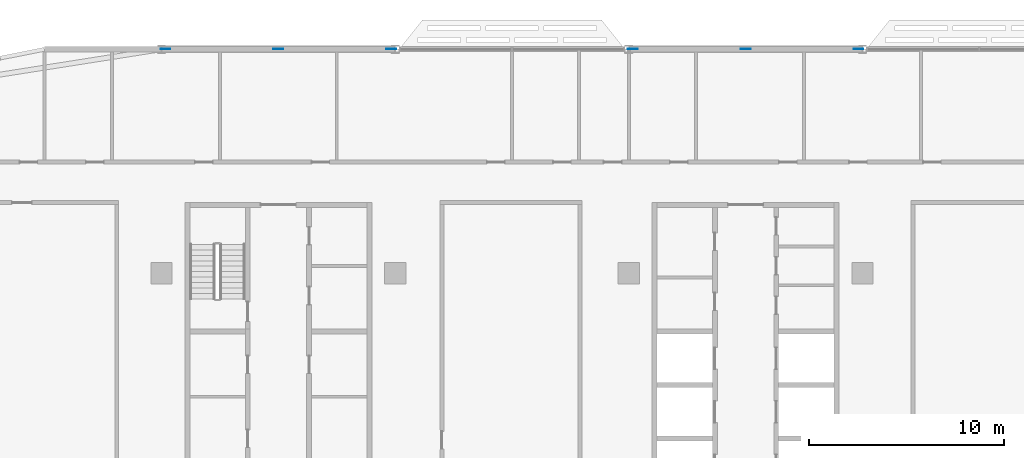
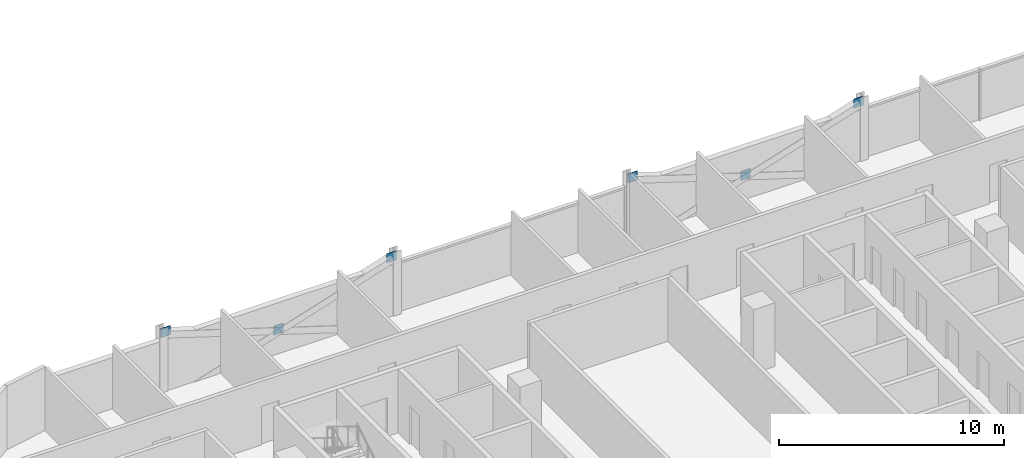
# One storey, part 22 of 30: 6 discrete accessories.
"""IFC4 building model written with IfcOpenShell, lengths in metres."""

import ifcopenshell
import ifcopenshell.guid

model = None  # the IFC model being written
_history = None  # IfcOwnerHistory: only IFC2X3 demands one
_inside = {}  # id of a spatial element -> (the spatial element, [elements in it])
_under = {}  # id of a project, library or spatial element -> (it, [spatial elements below it])
_declared = {}  # id of a project -> (the project, [libraries it declares])
_typed = {}  # id of a type object -> (the type object, [elements of that type])
_made_of = {}  # id of a material, layer set ... -> (it, [elements and type objects made of it])


def new_model(schema):
    """Start an empty IFC model of exactly this schema.

    Asked for "IFC4X3", IfcOpenShell would pick the latest addendum, in which some entities
    have other attributes; the version numbers below select the first issue.
    IFC2X3 requires an IfcOwnerHistory on every rooted entity: one is made here for all.
    """
    global model, _history
    if schema == "IFC4X3":
        model = ifcopenshell.file(schema_version=(4, 3, 0, 0))
    else:
        model = ifcopenshell.file(schema=schema)
    _inside.clear()
    _under.clear()
    _declared.clear()
    _typed.clear()
    _made_of.clear()
    _history = None
    if model.schema == "IFC2X3":
        org = make("IfcOrganization", Name="unknown")
        user = make(
            "IfcPersonAndOrganization",
            ThePerson=make("IfcPerson", FamilyName="unknown"),
            TheOrganization=org,
        )
        app = make(
            "IfcApplication",
            ApplicationDeveloper=org,
            Version="unknown",
            ApplicationFullName="unknown",
            ApplicationIdentifier="unknown",
        )
        _history = make(
            "IfcOwnerHistory",
            OwningUser=user,
            OwningApplication=app,
            ChangeAction="ADDED",
            CreationDate=0,
        )
    return model


def make(cls, **values):
    """One entity of the class cls with the attributes given. An attribute that is None is left unset."""
    return model.create_entity(
        cls, **{name: value for name, value in values.items() if value is not None}
    )


def rooted(cls, **values):
    """An entity with a GlobalId (a new one), such as an element, a storey or a relation."""
    return make(cls, GlobalId=ifcopenshell.guid.new(), OwnerHistory=_history, **values)


def si_unit(unit_type, name, prefix=None):
    """IfcSIUnit, for example si_unit("LENGTHUNIT", "METRE", prefix="MILLI")."""
    return make("IfcSIUnit", UnitType=unit_type, Prefix=prefix, Name=name)


def assignment(units):
    """IfcUnitAssignment: the units of a project."""
    return None if units is None else make("IfcUnitAssignment", Units=units)


def point(xyz):
    """IfcCartesianPoint."""
    return None if xyz is None else make("IfcCartesianPoint", Coordinates=xyz)


def direction(xyz):
    """IfcDirection."""
    return None if xyz is None else make("IfcDirection", DirectionRatios=xyz)


def frame(location, z_axis=None, x_axis=None):
    """IfcAxis2Placement3D, a coordinate frame: its origin and axes. An axis left out is left unset."""
    return make(
        "IfcAxis2Placement3D",
        Location=point(location),
        Axis=direction(z_axis),
        RefDirection=direction(x_axis),
    )


def frame_2d(location, x_axis=None):
    """IfcAxis2Placement2D, a coordinate frame in the plane: its origin and x axis."""
    return make(
        "IfcAxis2Placement2D", Location=point(location), RefDirection=direction(x_axis)
    )


def origin():
    """The frame at (0, 0, 0) with its axes left unset."""
    return frame((0.0, 0.0, 0.0))


def origin_2d():
    """The frame at (0, 0) in the plane with its x axis left unset."""
    return frame_2d((0.0, 0.0))


def place(relative_to, where):
    """IfcLocalPlacement: puts the frame where relative to a parent placement (None: the world)."""
    return make(
        "IfcLocalPlacement", PlacementRelTo=relative_to, RelativePlacement=where
    )


def context(
    kind, dimensions, precision=None, world=None, true_north=None, identifier=None
):
    """IfcGeometricRepresentationContext, for example the 3D "Model" context."""
    return make(
        "IfcGeometricRepresentationContext",
        ContextIdentifier=identifier,
        ContextType=kind,
        CoordinateSpaceDimension=dimensions,
        Precision=precision,
        WorldCoordinateSystem=world,
        TrueNorth=true_north,
    )


def subcontext(parent, identifier, kind, view, scale=None):
    """IfcGeometricRepresentationSubContext, for example "Body" below "Model"."""
    return make(
        "IfcGeometricRepresentationSubContext",
        ContextIdentifier=identifier,
        ContextType=kind,
        ParentContext=parent,
        TargetScale=scale,
        TargetView=view,
    )


def project(units=None, contexts=None):
    """IfcProject with its units and contexts."""
    return rooted(
        "IfcProject",
        Name="project",
        RepresentationContexts=contexts,
        UnitsInContext=assignment(units),
    )


def spatial(cls, under=None, at=None, **own):
    """A site, building, storey or space (cls), placed at a placement, below another one or the project."""
    s = rooted(cls, ObjectPlacement=at, **own)
    if under is not None:
        _under.setdefault(under.id(), (under, []))[1].append(s)
    return s


def profile(cls, at=None, kind="AREA", **sizes):
    """A parametric profile (cls). Its sizes go by their IFC names, for example OverallWidth=200.0."""
    return make(cls, ProfileType=kind, Position=at, **sizes)


def rectangle(**sizes):
    """IfcRectangleProfileDef."""
    return profile("IfcRectangleProfileDef", **sizes)


def extrude(swept, where, along, depth):
    """IfcExtrudedAreaSolid: the profile swept, set in the frame where, extruded along a direction by depth."""
    return make(
        "IfcExtrudedAreaSolid",
        SweptArea=swept,
        Position=where,
        ExtrudedDirection=direction(along),
        Depth=depth,
    )


def shape(context_of_items, identifier, shape_type, items):
    """IfcShapeRepresentation: the items that make up one representation, for example the "Body"."""
    return make(
        "IfcShapeRepresentation",
        ContextOfItems=context_of_items,
        RepresentationIdentifier=identifier,
        RepresentationType=shape_type,
        Items=items,
    )


def material(Name=None, Category=None):
    """IfcMaterial."""
    return make("IfcMaterial", Name=Name, Category=Category)


def layer(
    of_material, thickness, ventilated=None, Name=None, Category=None, Priority=None
):
    """IfcMaterialLayer: one layer of a wall or slab, of a material (None: an air gap)."""
    return make(
        "IfcMaterialLayer",
        Material=of_material,
        LayerThickness=thickness,
        IsVentilated=ventilated,
        Name=Name,
        Category=Category,
        Priority=Priority,
    )


def layer_set(layers, Name=None):
    """IfcMaterialLayerSet."""
    return make("IfcMaterialLayerSet", MaterialLayers=layers, LayerSetName=Name)


def made_of(thing, what):
    """Note that an element or type object is made of a material, layer set ...; save() writes the relation."""
    if what is not None:
        _made_of.setdefault(what.id(), (what, []))[1].append(thing)
    return thing


def type_object(cls, material=None, **own):
    """A type object (cls), such as IfcWallType, which elements share."""
    return made_of(rooted(cls, **own), material)


def element(
    cls,
    number,
    at=None,
    inside=None,
    cuts=None,
    type_object=None,
    material=None,
    context=None,
    identifier="Body",
    shape_type=None,
    held_by="IfcProductDefinitionShape",
    body=None,
    shapes=None,
    **own,
):
    """One element of the class cls, such as IfcWall. Its Tag is "e" and its number.

    at: its placement. inside: the storey or other place that contains it. cuts: it is an
    opening in that element (IfcRelVoidsElement). A single representation is given by context,
    identifier, shape_type and body (its items); several are given by shapes. held_by: the class
    of the entity that holds the representations. save() writes the other relations.
    """
    e = rooted(cls, Tag="e%d" % number, ObjectPlacement=at, **own)
    if body is not None:
        shapes = [shape(context, identifier, shape_type, body)]
    if shapes is not None:
        e.Representation = make(held_by, Representations=shapes)
    if inside is not None:
        _inside.setdefault(inside.id(), (inside, []))[1].append(e)
    if cuts is not None:
        rooted(
            "IfcRelVoidsElement", RelatingBuildingElement=cuts, RelatedOpeningElement=e
        )
    if type_object is not None:
        _typed.setdefault(type_object.id(), (type_object, []))[1].append(e)
    return made_of(e, material)


def aggregate(whole, parts):
    """IfcRelAggregates: a whole, such as a stair, and the parts it consists of."""
    return rooted("IfcRelAggregates", RelatingObject=whole, RelatedObjects=parts)


def save(model, path):
    """Write the relations noted so far, then the file.

    IfcRelAggregates (storeys below a building ...), IfcRelContainedInSpatialStructure (elements
    in a storey), IfcRelDefinesByType, IfcRelAssociatesMaterial and IfcRelDeclares: one each for
    every whole, place, type object, material and project.
    """
    for whole, parts in _under.values():
        aggregate(whole, parts)
    for where, things in _inside.values():
        rooted(
            "IfcRelContainedInSpatialStructure",
            RelatedElements=things,
            RelatingStructure=where,
        )
    for kind, things in _typed.values():
        rooted("IfcRelDefinesByType", RelatedObjects=things, RelatingType=kind)
    for what, things in _made_of.values():
        rooted("IfcRelAssociatesMaterial", RelatedObjects=things, RelatingMaterial=what)
    for by, libraries in _declared.values():
        rooted("IfcRelDeclares", RelatingContext=by, RelatedDefinitions=libraries)
    model.write(path)


model = new_model("IFC4")

# Units and contexts
model_context = context("Model", 3, precision=1e-05, world=origin(), true_north=direction((0.0, 1.0)))
body_context = subcontext(model_context, "Body", "Model", "MODEL_VIEW")
ifc_project = project(units=[si_unit("LENGTHUNIT", "METRE"), si_unit("AREAUNIT", "SQUARE_METRE"), si_unit("VOLUMEUNIT", "CUBIC_METRE"), si_unit("PLANEANGLEUNIT", "RADIAN"), si_unit("MASSUNIT", "GRAM", prefix="KILO")], contexts=[model_context])

# Site, building, storey
site_placement = place(None, origin())
site = spatial("IfcSite", under=ifc_project, at=site_placement, CompositionType="ELEMENT")
building_placement = place(site_placement, origin())
building = spatial("IfcBuilding", under=site, at=building_placement, Name="Mahtab Terrace Research Tower", CompositionType="ELEMENT")
storey_placement = place(building_placement, frame((0.0, 0.0, 216.699951171875)))
storey = spatial("IfcBuildingStorey", under=building, at=storey_placement, Name="L52", CompositionType="ELEMENT", Elevation=216.699951171875)

# Discrete accessories
ifc_material = material(Name="Steel ASTM A992 Gr 50", Category="steel")
ifc_layer = layer(ifc_material, 0.030029296875)
ifc_layer_set = layer_set([ifc_layer], Name="Gusset plate 500x500x30")
discrete_accessory_type = type_object("IfcDiscreteAccessoryType", Name="Gusset plate 500x500x30", PredefinedType="USERDEFINED", material=ifc_layer_set)
for number, where, z_axis, x_axis, name in (
    (1, (-29.79931640625, 23.0, 2.870361328125), (0.0, 0.0, 1.0), (1.0, 0.0, 0.0), "Gusset plate"),
    (2, (-24.0, 23.0, 0.970947265625), (0.0, 0.0, 1.0), (1.0, 0.0, 0.0), "Gusset plate"),
    (3, (-18.20068359375, 23.0, 2.870361328125), (0.0, 0.0, 1.0), (1.0, 0.0, 0.0), "Gusset plate"),
    (4, (-5.79931640625, 23.0, 2.870361328125), (0.0, 0.0, 1.0), (1.0, 0.0, 0.0), "Gusset plate"),
    (5, (0.0, 23.0, 0.970947265625), (0.0, 0.0, 1.0), (1.0, 0.0, 0.0), "Gusset plate"),
    (6, (5.79931640625, 23.0, 2.870361328125), (0.0, 0.0, 1.0), (1.0, 0.0, 0.0), "Gusset plate"),
):
    element("IfcDiscreteAccessory", number, at=place(storey_placement, frame(where, z_axis=z_axis, x_axis=x_axis)), inside=storey, type_object=discrete_accessory_type, Name=name, ObjectType="GUSSET PLATE", PredefinedType="USERDEFINED", context=body_context, shape_type="SweptSolid", body=[
        extrude(rectangle(XDim=0.5, YDim=0.030029296875, at=origin_2d()), origin(), (0.0, 0.0, 1.0), 0.5),
    ])

save(model, "model.ifc")
